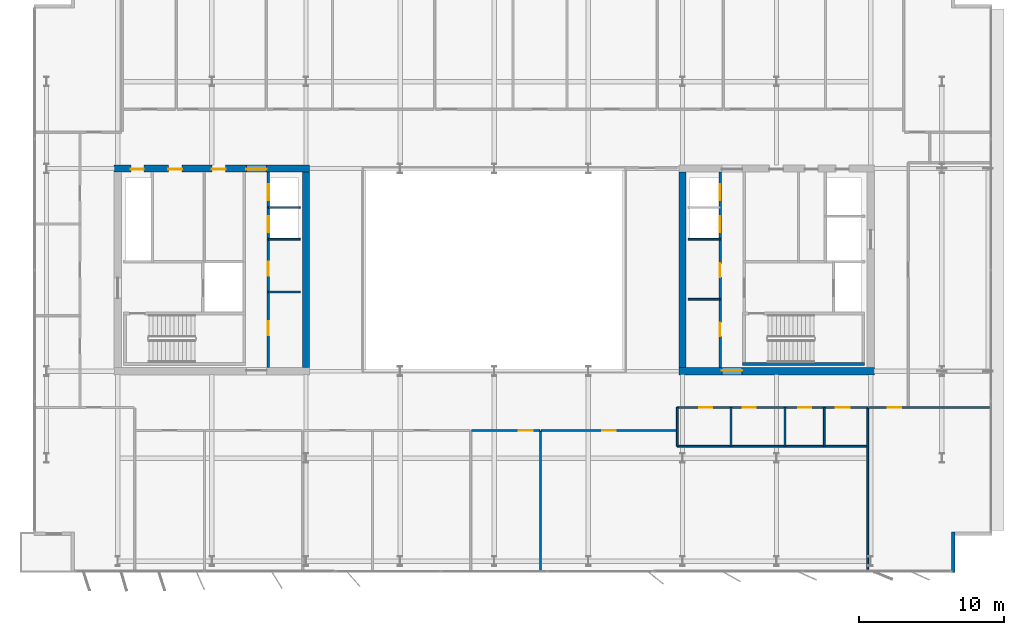
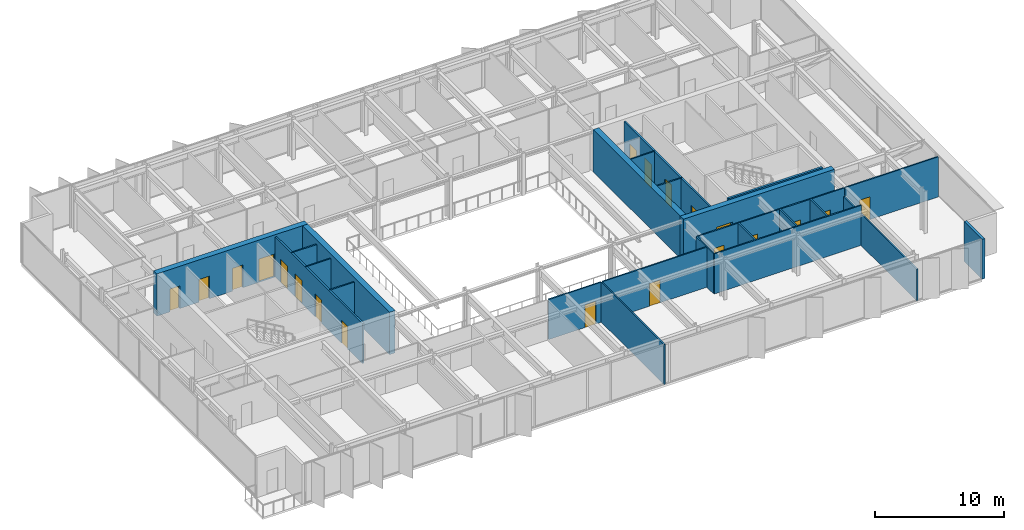
# One storey, part 14 of 20: 24 walls, 20 doors, 20 openings.
"""IFC4 building model written with IfcOpenShell, lengths in metres."""

from ifc_helpers import new_model, si_unit, direction, frame, frame_2d, origin, place, context, subcontext, project, spatial, rectangle, extrude, material, layer, layer_set, type_object, element, fill, save


model = new_model("IFC4")

# Units and contexts
model_context = context("Model", 3, precision=1e-05, world=origin(), true_north=direction((0.0, 1.0)))
body_context = subcontext(model_context, "Body", "Model", "MODEL_VIEW")
ifc_project = project(units=[si_unit("LENGTHUNIT", "METRE"), si_unit("AREAUNIT", "SQUARE_METRE"), si_unit("VOLUMEUNIT", "CUBIC_METRE"), si_unit("PLANEANGLEUNIT", "RADIAN"), si_unit("MASSUNIT", "GRAM", prefix="KILO")], contexts=[model_context])

# Site, building, storey
site_placement = place(None, origin())
site = spatial("IfcSite", under=ifc_project, at=site_placement, CompositionType="ELEMENT")
building_placement = place(site_placement, origin())
building = spatial("IfcBuilding", under=site, at=building_placement, Name="Putna Gate Headquarters", CompositionType="ELEMENT")
storey_placement = place(building_placement, frame((0.0, 0.0, 290.39990234375)))
storey = spatial("IfcBuildingStorey", under=building, at=storey_placement, Name="L73", CompositionType="ELEMENT", Elevation=290.39990234375)

# Wall, openings, doors
ifc_material_1 = material(Name="Concrete C50/60", Category="concrete")
ifc_layer_1 = layer(ifc_material_1, 0.5)
ifc_layer_set_1 = layer_set([ifc_layer_1], Name="Concrete C50/60")
wall_type_1 = type_object("IfcWallType", Name="WALL-CORE-500", PredefinedType="SHEAR", material=ifc_layer_set_1)
wall_1_placement = place(storey_placement, frame((12.75, 33.0, 0.0), z_axis=(0.0, 0.0, 1.0), x_axis=(1.0, 0.0, 0.0)))
wall_1 = element("IfcWall", 1, at=wall_1_placement, inside=storey, type_object=wall_type_1, Name="L73 WC Split Core Shear Wall N", PredefinedType="SHEAR", context=body_context, shape_type="SweptSolid", body=[
    extrude(rectangle(XDim=13.5, YDim=0.5, at=frame_2d((6.75, 0.0))), origin(), (0.0, 0.0, 1.0), 4.0),
])
opening_1_placement = place(wall_1_placement, frame((1.14990234375, 0.0, 0.0)))
opening_1 = element("IfcOpeningElement", 2, at=opening_1_placement, cuts=wall_1, Name="Opening RD-90", PredefinedType="OPENING", context=body_context, shape_type="SweptSolid", body=[
    extrude(rectangle(XDim=0.89990234375, YDim=2.14990234375, at=frame_2d((0.449951171875, 1.074951171875))), frame((0.0, 0.260009765625, 0.0), z_axis=(0.0, -1.0, 0.0), x_axis=(1.0, 0.0, 0.0)), (0.0, 0.0, 1.0), 0.52001953125),
])
opening_2_placement = place(wall_1_placement, frame((3.75, 0.0, 0.0)))
opening_2 = element("IfcOpeningElement", 3, at=opening_2_placement, cuts=wall_1, Name="Opening IDS-95", PredefinedType="OPENING", context=body_context, shape_type="SweptSolid", body=[
    extrude(rectangle(XDim=0.949951171875, YDim=2.14990234375, at=frame_2d((0.47509765625, 1.074951171875))), frame((0.0, 0.260009765625, 0.0), z_axis=(0.0, -1.0, 0.0), x_axis=(1.0, 0.0, 0.0)), (0.0, 0.0, 1.0), 0.52001953125),
])
opening_3_placement = place(wall_1_placement, frame((6.75, 0.0, 0.0)))
opening_3 = element("IfcOpeningElement", 4, at=opening_3_placement, cuts=wall_1, Name="Opening IDS-95", PredefinedType="OPENING", context=body_context, shape_type="SweptSolid", body=[
    extrude(rectangle(XDim=0.949951171875, YDim=2.14990234375, at=frame_2d((0.47509765625, 1.074951171875))), frame((0.0, 0.260009765625, 0.0), z_axis=(0.0, -1.0, 0.0), x_axis=(1.0, 0.0, 0.0)), (0.0, 0.0, 1.0), 0.52001953125),
])
opening_4_placement = place(wall_1_placement, frame((9.1298828125, 0.0, 0.0)))
opening_4 = element("IfcOpeningElement", 5, at=opening_4_placement, cuts=wall_1, Name="Opening FDD-140", PredefinedType="OPENING", context=body_context, shape_type="SweptSolid", body=[
    extrude(rectangle(XDim=1.39990234375, YDim=2.199951171875, at=frame_2d((0.699951171875, 1.10009765625))), frame((0.0, 0.260009765625, 0.0), z_axis=(0.0, -1.0, 0.0), x_axis=(1.0, 0.0, 0.0)), (0.0, 0.0, 1.0), 0.52001953125),
])
ifc_material_2 = material(Name="Double steel fire door", Category="steel")
door_type_1 = type_object("IfcDoorType", Name="DOOR-FIRE-DBL-1400", OperationType="DOUBLE_DOOR_SINGLE_SWING", PredefinedType="DOOR", material=ifc_material_2)
door_1_placement = place(opening_4_placement, origin())
door_1 = element("IfcDoor", 6, at=door_1_placement, inside=storey, type_object=door_type_1, Name="L73 West Lift Lobby North Door", OperationType="DOUBLE_DOOR_SINGLE_SWING", OverallHeight=2.199951171875, OverallWidth=1.39990234375, PredefinedType="DOOR", context=body_context, shape_type="SweptSolid", body=[
    extrude(rectangle(XDim=1.39990234375, YDim=2.199951171875, at=frame_2d((0.699951171875, 1.10009765625))), frame((0.0, -0.02490234375, 0.0), z_axis=(0.0, -1.0, 0.0), x_axis=(1.0, 0.0, 0.0)), (0.0, 0.0, 1.0), 0.050048828125),
])
fill(opening_4, door_1)
ifc_material_3 = material(Name="Fire-rated service timber door", Category="wood")
door_type_2 = type_object("IfcDoorType", Name="DOOR-INT-950", OperationType="NOTDEFINED", PredefinedType="DOOR", material=ifc_material_3)
door_2_placement = place(opening_2_placement, origin())
door_2 = element("IfcDoor", 7, at=door_2_placement, inside=storey, type_object=door_type_2, Name="L73 Cleaner Store Door", OperationType="SINGLE_SWING_LEFT", OverallHeight=2.14990234375, OverallWidth=0.949951171875, PredefinedType="DOOR", context=body_context, shape_type="SweptSolid", body=[
    extrude(rectangle(XDim=0.949951171875, YDim=2.14990234375, at=frame_2d((0.47509765625, 1.074951171875))), frame((0.0, -0.02490234375, 0.0), z_axis=(0.0, -1.0, 0.0), x_axis=(1.0, 0.0, 0.0)), (0.0, 0.0, 1.0), 0.050048828125),
])
fill(opening_2, door_2)
door_3_placement = place(opening_3_placement, origin())
door_3 = element("IfcDoor", 8, at=door_3_placement, inside=storey, type_object=door_type_2, Name="L73 Comms Plant Door", OperationType="SINGLE_SWING_RIGHT", OverallHeight=2.14990234375, OverallWidth=0.949951171875, PredefinedType="DOOR", context=body_context, shape_type="SweptSolid", body=[
    extrude(rectangle(XDim=0.949951171875, YDim=2.14990234375, at=frame_2d((0.47509765625, 1.074951171875))), frame((0.0, -0.02490234375, 0.0), z_axis=(0.0, -1.0, 0.0), x_axis=(1.0, 0.0, 0.0)), (0.0, 0.0, 1.0), 0.050048828125),
])
fill(opening_3, door_3)
ifc_material_4 = material(Name="Steel riser access fire door", Category="steel")
door_type_3 = type_object("IfcDoorType", Name="DOOR-RISER-900", OperationType="NOTDEFINED", PredefinedType="DOOR", material=ifc_material_4)
door_4_placement = place(opening_1_placement, origin())
door_4 = element("IfcDoor", 9, at=door_4_placement, inside=storey, type_object=door_type_3, Name="L73 West Riser Access Door", OperationType="SINGLE_SWING_RIGHT", OverallHeight=2.14990234375, OverallWidth=0.89990234375, PredefinedType="DOOR", context=body_context, shape_type="SweptSolid", body=[
    extrude(rectangle(XDim=0.89990234375, YDim=2.14990234375, at=frame_2d((0.449951171875, 1.074951171875))), frame((0.0, -0.02490234375, 0.0), z_axis=(0.0, -1.0, 0.0), x_axis=(1.0, 0.0, 0.0)), (0.0, 0.0, 1.0), 0.050048828125),
])
fill(opening_1, door_4)

# Wall
wall_2_placement = place(storey_placement, frame((26.0, 19.25, 0.0), z_axis=(0.0, 0.0, 1.0), x_axis=(0.0, 1.0, 0.0)))
element("IfcWall", 10, at=wall_2_placement, inside=storey, type_object=wall_type_1, Name="L73 WC Split Core Shear Wall E", PredefinedType="SHEAR", context=body_context, shape_type="SweptSolid", body=[
    extrude(rectangle(XDim=13.5, YDim=0.5, at=frame_2d((6.75, 0.0))), origin(), (0.0, 0.0, 1.0), 4.0),
])

# Wall, opening, door
wall_3_placement = place(storey_placement, frame((51.75, 19.0, 0.0), z_axis=(0.0, 0.0, 1.0), x_axis=(1.0, 0.0, 0.0)))
wall_3 = element("IfcWall", 11, at=wall_3_placement, inside=storey, type_object=wall_type_1, Name="L73 EC Split Core Shear Wall S", PredefinedType="SHEAR", context=body_context, shape_type="SweptSolid", body=[
    extrude(rectangle(XDim=13.5, YDim=0.5, at=frame_2d((6.75, 0.0))), origin(), (0.0, 0.0, 1.0), 4.0),
])
opening_5_placement = place(wall_3_placement, frame((2.969970703125, 0.0, 0.0)))
opening_5 = element("IfcOpeningElement", 12, at=opening_5_placement, cuts=wall_3, Name="Opening FDD-140", PredefinedType="OPENING", context=body_context, shape_type="SweptSolid", body=[
    extrude(rectangle(XDim=1.39990234375, YDim=2.199951171875, at=frame_2d((0.699951171875, 1.10009765625))), frame((0.0, 0.260009765625, 0.0), z_axis=(0.0, -1.0, 0.0), x_axis=(1.0, 0.0, 0.0)), (0.0, 0.0, 1.0), 0.52001953125),
])
door_5_placement = place(opening_5_placement, origin())
door_5 = element("IfcDoor", 13, at=door_5_placement, inside=storey, type_object=door_type_1, Name="L73 East Lift Lobby South Door", OperationType="DOUBLE_DOOR_SINGLE_SWING", OverallHeight=2.199951171875, OverallWidth=1.39990234375, PredefinedType="DOOR", context=body_context, shape_type="SweptSolid", body=[
    extrude(rectangle(XDim=1.39990234375, YDim=2.199951171875, at=frame_2d((0.699951171875, 1.10009765625))), frame((0.0, 0.0751953125, 0.0), z_axis=(0.0, -1.0, 0.0), x_axis=(1.0, 0.0, 0.0)), (0.0, 0.0, 1.0), 0.050048828125),
])
fill(opening_5, door_5)

# Walls
wall_4_placement = place(storey_placement, frame((52.0, 19.25, 0.0), z_axis=(0.0, 0.0, 1.0), x_axis=(0.0, 1.0, 0.0)))
element("IfcWall", 14, at=wall_4_placement, inside=storey, type_object=wall_type_1, Name="L73 EC Split Core Shear Wall W", PredefinedType="SHEAR", context=body_context, shape_type="SweptSolid", body=[
    extrude(rectangle(XDim=13.5, YDim=0.5, at=frame_2d((6.75, 0.0))), origin(), (0.0, 0.0, 1.0), 4.0),
])
ifc_material_5 = material(Name="Precast concrete C40/50", Category="concrete")
ifc_layer_2 = layer(ifc_material_5, 0.239990234375)
ifc_layer_set_2 = layer_set([ifc_layer_2], Name="Precast concrete C40/50")
wall_type_2 = type_object("IfcWallType", Name="WALL-EXT-TERR-240", PredefinedType="STANDARD", material=ifc_layer_set_2)
wall_5_placement = place(storey_placement, frame((70.707275390625, 7.89990234375, 0.0), z_axis=(0.0, 0.0, 1.0), x_axis=(0.0, -1.0, 0.0)))
element("IfcWall", 15, at=wall_5_placement, inside=storey, type_object=wall_type_2, Name="L73 Corner Notch Return Wall SE-V", PredefinedType="STANDARD", context=body_context, shape_type="SweptSolid", body=[
    extrude(rectangle(XDim=2.7998046875, YDim=0.239990234375, at=frame_2d((1.39990234375, 0.0))), origin(), (0.0, 0.0, 1.0), 3.7880859375),
])
ifc_material_6 = material(Name="Acoustic gypsum board on metal stud")
ifc_layer_3 = layer(ifc_material_6, 0.1201171875)
ifc_layer_set_3 = layer_set([ifc_layer_3], Name="Acoustic gypsum board on metal stud")
wall_type_3 = type_object("IfcWallType", Name="WALL-PART-120", PredefinedType="PARTITIONING", material=ifc_layer_set_3)
wall_6_placement = place(storey_placement, frame((42.199951171875, 5.1201171875, 0.0), z_axis=(0.0, 0.0, 1.0), x_axis=(0.0, 1.0, 0.0)))
element("IfcWall", 16, at=wall_6_placement, inside=storey, type_object=wall_type_3, Name="L73 Interior Wall PART-L73-SB-DIV-06", PredefinedType="PARTITIONING", context=body_context, shape_type="SweptSolid", body=[
    extrude(rectangle(XDim=9.719970703125, YDim=0.1201171875, at=frame_2d((4.85986328125, 0.0))), origin(), (0.0, 0.0, 1.0), 3.7880859375),
])
wall_7_placement = place(storey_placement, frame((64.800048828125, 5.1201171875, 0.0), z_axis=(0.0, 0.0, 1.0), x_axis=(0.0, 1.0, 0.0)))
element("IfcWall", 17, at=wall_7_placement, inside=storey, type_object=wall_type_3, Name="L73 Interior Wall PART-L73-SB-DIV-07", PredefinedType="PARTITIONING", context=body_context, shape_type="SweptSolid", body=[
    extrude(rectangle(XDim=11.31982421875, YDim=0.1201171875, at=frame_2d((5.659912109375, 0.0))), origin(), (0.0, 0.0, 1.0), 2.988037109375),
])
ifc_material_7 = material(Name="Fire-rated shaftwall gypsum board on metal stud")
ifc_layer_4 = layer(ifc_material_7, 0.1201171875)
ifc_layer_set_4 = layer_set([ifc_layer_4], Name="Fire-rated shaftwall gypsum board on metal stud")
wall_type_4 = type_object("IfcWallType", Name="WALL-PART-120-EI120", PredefinedType="PARTITIONING", material=ifc_layer_set_4)
wall_8_placement = place(storey_placement, frame((23.39990234375, 30.31005859375, 0.0), z_axis=(0.0, 0.0, 1.0), x_axis=(1.0, 0.0, 0.0)))
element("IfcWall", 18, at=wall_8_placement, inside=storey, type_object=wall_type_4, Name="L73 Interior Wall CWINT-L73-WC-LF09-DIV", PredefinedType="PARTITIONING", context=body_context, shape_type="SweptSolid", body=[
    extrude(rectangle(XDim=2.2001953125, YDim=0.1201171875, at=frame_2d((1.10009765625, 0.0))), origin(), (0.0, 0.0, 1.0), 3.7880859375),
])
ifc_material_8 = material(Name="Fire-rated gypsum board on metal stud")
ifc_layer_5 = layer(ifc_material_8, 0.1201171875)
ifc_layer_set_5 = layer_set([ifc_layer_5], Name="Fire-rated gypsum board on metal stud")
wall_type_5 = type_object("IfcWallType", Name="WALL-PART-120-RATED", PredefinedType="PARTITIONING", material=ifc_layer_set_5)
for number, where, z_axis, x_axis, name in (
    (19, (23.39990234375, 24.469970703125, 0.0), (0.0, 0.0, 1.0), (1.0, 0.0, 0.0), "L73 Interior Wall CWINT-L73-WC-REUSE-DIV"),
    (20, (23.39990234375, 28.1201171875, 0.0), (0.0, 0.0, 1.0), (1.0, 0.0, 0.0), "L73 Interior Wall CWINT-L73-WC-LF06-DIV"),
    (21, (52.39990234375, 23.969970703125, 0.0), (0.0, 0.0, 1.0), (1.0, 0.0, 0.0), "L73 Interior Wall CWINT-L73-EC-REUSE-DIV"),
    (22, (52.39990234375, 28.1201171875, 0.0), (0.0, 0.0, 1.0), (1.0, 0.0, 0.0), "L73 Interior Wall CWINT-L73-EC-LF08-DIV"),
):
    element("IfcWall", number, at=place(storey_placement, frame(where, z_axis=z_axis, x_axis=x_axis)), inside=storey, type_object=wall_type_5, Name=name, PredefinedType="PARTITIONING", context=body_context, shape_type="SweptSolid", body=[
        extrude(rectangle(XDim=2.2001953125, YDim=0.1201171875, at=frame_2d((1.10009765625, 0.0))), origin(), (0.0, 0.0, 1.0), 3.7880859375),
    ])

# Wall, openings, doors
wall_9_placement = place(storey_placement, frame((51.639892578125, 16.5, 0.0), z_axis=(0.0, 0.0, 1.0), x_axis=(1.0, 0.0, 0.0)))
wall_9 = element("IfcWall", 23, at=wall_9_placement, inside=storey, type_object=wall_type_5, Name="L73 Interior Wall PART-L73-SAN-CW", PredefinedType="PARTITIONING", context=body_context, shape_type="SweptSolid", body=[
    extrude(rectangle(XDim=13.16015625, YDim=0.1201171875, at=frame_2d((6.580078125, 0.0))), origin(), (0.0, 0.0, 1.0), 3.7880859375),
])
opening_6_placement = place(wall_9_placement, frame((1.510009765625, 0.0, 0.0)))
opening_6 = element("IfcOpeningElement", 24, at=opening_6_placement, cuts=wall_9, Name="Opening FD-90", PredefinedType="OPENING", context=body_context, shape_type="SweptSolid", body=[
    extrude(rectangle(XDim=0.89990234375, YDim=2.14990234375, at=frame_2d((0.449951171875, 1.074951171875))), frame((0.0, 0.070068359375, 0.0), z_axis=(0.0, -1.0, 0.0), x_axis=(1.0, 0.0, 0.0)), (0.0, 0.0, 1.0), 0.14013671875),
])
opening_7_placement = place(wall_9_placement, frame((4.510009765625, 0.0, 0.0)))
opening_7 = element("IfcOpeningElement", 25, at=opening_7_placement, cuts=wall_9, Name="Opening FD-90", PredefinedType="OPENING", context=body_context, shape_type="SweptSolid", body=[
    extrude(rectangle(XDim=0.89990234375, YDim=2.14990234375, at=frame_2d((0.449951171875, 1.074951171875))), frame((0.0, 0.070068359375, 0.0), z_axis=(0.0, -1.0, 0.0), x_axis=(1.0, 0.0, 0.0)), (0.0, 0.0, 1.0), 0.14013671875),
])
opening_8_placement = place(wall_9_placement, frame((8.360107421875, 0.0, 0.0)))
opening_8 = element("IfcOpeningElement", 26, at=opening_8_placement, cuts=wall_9, Name="Opening FD-90", PredefinedType="OPENING", context=body_context, shape_type="SweptSolid", body=[
    extrude(rectangle(XDim=0.89990234375, YDim=2.14990234375, at=frame_2d((0.449951171875, 1.074951171875))), frame((0.0, 0.070068359375, 0.0), z_axis=(0.0, -1.0, 0.0), x_axis=(1.0, 0.0, 0.0)), (0.0, 0.0, 1.0), 0.14013671875),
])
opening_9_placement = place(wall_9_placement, frame((10.9599609375, 0.0, 0.0)))
opening_9 = element("IfcOpeningElement", 27, at=opening_9_placement, cuts=wall_9, Name="Opening FD-95", PredefinedType="OPENING", context=body_context, shape_type="SweptSolid", body=[
    extrude(rectangle(XDim=0.949951171875, YDim=2.14990234375, at=frame_2d((0.47509765625, 1.074951171875))), frame((0.0, 0.070068359375, 0.0), z_axis=(0.0, -1.0, 0.0), x_axis=(1.0, 0.0, 0.0)), (0.0, 0.0, 1.0), 0.14013671875),
])
ifc_material_9 = material(Name="Acoustic washroom fire door")
door_type_4 = type_object("IfcDoorType", Name="DOOR-FIRE-900", OperationType="NOTDEFINED", PredefinedType="DOOR", material=ifc_material_9)
door_6_placement = place(opening_6_placement, origin())
door_6 = element("IfcDoor", 28, at=door_6_placement, inside=storey, type_object=door_type_4, Name="L73 Washroom Male Door", OperationType="SINGLE_SWING_RIGHT", OverallHeight=2.14990234375, OverallWidth=0.89990234375, PredefinedType="DOOR", context=body_context, shape_type="SweptSolid", body=[
    extrude(rectangle(XDim=0.89990234375, YDim=2.14990234375, at=frame_2d((0.449951171875, 1.074951171875))), frame((0.0, 0.02490234375, 0.0), z_axis=(0.0, -1.0, 0.0), x_axis=(1.0, 0.0, 0.0)), (0.0, 0.0, 1.0), 0.050048828125),
])
fill(opening_6, door_6)
door_7_placement = place(opening_7_placement, origin())
door_7 = element("IfcDoor", 29, at=door_7_placement, inside=storey, type_object=door_type_4, Name="L73 Washroom Female Door", OperationType="SINGLE_SWING_LEFT", OverallHeight=2.14990234375, OverallWidth=0.89990234375, PredefinedType="DOOR", context=body_context, shape_type="SweptSolid", body=[
    extrude(rectangle(XDim=0.89990234375, YDim=2.14990234375, at=frame_2d((0.449951171875, 1.074951171875))), frame((0.0, 0.02490234375, 0.0), z_axis=(0.0, -1.0, 0.0), x_axis=(1.0, 0.0, 0.0)), (0.0, 0.0, 1.0), 0.050048828125),
])
fill(opening_7, door_7)
door_8_placement = place(opening_8_placement, origin())
door_8 = element("IfcDoor", 30, at=door_8_placement, inside=storey, type_object=door_type_4, Name="L73 Accessible WC Door", OperationType="SINGLE_SWING_RIGHT", OverallHeight=2.14990234375, OverallWidth=0.89990234375, PredefinedType="DOOR", context=body_context, shape_type="SweptSolid", body=[
    extrude(rectangle(XDim=0.89990234375, YDim=2.14990234375, at=frame_2d((0.449951171875, 1.074951171875))), frame((0.0, 0.02490234375, 0.0), z_axis=(0.0, -1.0, 0.0), x_axis=(1.0, 0.0, 0.0)), (0.0, 0.0, 1.0), 0.050048828125),
])
fill(opening_8, door_8)
ifc_material_10 = material(Name="Acoustic timber fire door", Category="wood")
door_type_5 = type_object("IfcDoorType", Name="DOOR-FIRE-950", OperationType="NOTDEFINED", PredefinedType="DOOR", material=ifc_material_10)
door_9_placement = place(opening_9_placement, origin())
door_9 = element("IfcDoor", 31, at=door_9_placement, inside=storey, type_object=door_type_5, Name="L73 Staff Pantry and Tea Point Door", OperationType="SINGLE_SWING_LEFT", OverallHeight=2.14990234375, OverallWidth=0.949951171875, PredefinedType="DOOR", context=body_context, shape_type="SweptSolid", body=[
    extrude(rectangle(XDim=0.949951171875, YDim=2.14990234375, at=frame_2d((0.47509765625, 1.074951171875))), frame((0.0, 0.02490234375, 0.0), z_axis=(0.0, -1.0, 0.0), x_axis=(1.0, 0.0, 0.0)), (0.0, 0.0, 1.0), 0.050048828125),
])
fill(opening_9, door_9)

# Walls
wall_10_placement = place(storey_placement, frame((51.639892578125, 13.820068359375, 0.0), z_axis=(0.0, 0.0, 1.0), x_axis=(1.0, 0.0, 0.0)))
element("IfcWall", 32, at=wall_10_placement, inside=storey, type_object=wall_type_5, Name="L73 Interior Wall PART-L73-SAN-BACK", PredefinedType="PARTITIONING", context=body_context, shape_type="SweptSolid", body=[
    extrude(rectangle(XDim=13.16015625, YDim=0.1201171875, at=frame_2d((6.580078125, 0.0))), origin(), (0.0, 0.0, 1.0), 3.7880859375),
])
for number, where, z_axis, x_axis, name in (
    (33, (51.639892578125, 13.820068359375, 0.0), (0.0, 0.0, 1.0), (0.0, 1.0, 0.0), "L73 Interior Wall PART-L73-SAN-DIV-1"),
    (34, (55.360107421875, 13.820068359375, 0.0), (0.0, 0.0, 1.0), (0.0, 1.0, 0.0), "L73 Interior Wall PART-L73-SAN-DIV-2"),
    (35, (59.080078125, 13.820068359375, 0.0), (0.0, 0.0, 1.0), (0.0, 1.0, 0.0), "L73 Interior Wall PART-L73-SAN-DIV-3"),
    (36, (61.800048828125, 13.820068359375, 0.0), (0.0, 0.0, 1.0), (0.0, 1.0, 0.0), "L73 Interior Wall PART-L73-SAN-DIV-4"),
):
    element("IfcWall", number, at=place(storey_placement, frame(where, z_axis=z_axis, x_axis=x_axis)), inside=storey, type_object=wall_type_5, Name=name, PredefinedType="PARTITIONING", context=body_context, shape_type="SweptSolid", body=[
        extrude(rectangle(XDim=2.679931640625, YDim=0.1201171875, at=frame_2d((1.33984375, 0.0))), origin(), (0.0, 0.0, 1.0), 3.7880859375),
    ])

# Wall, opening, door
wall_11_placement = place(storey_placement, frame((37.447509765625, 14.89990234375, 0.0), z_axis=(0.0, 0.0, 1.0), x_axis=(1.0, 0.0, 0.0)))
wall_11 = element("IfcWall", 37, at=wall_11_placement, inside=storey, type_object=wall_type_5, Name="L73 Interior Wall PART-L73-SB-CW-06", PredefinedType="PARTITIONING", context=body_context, shape_type="SweptSolid", body=[
    extrude(rectangle(XDim=4.6923828125, YDim=0.1201171875, at=frame_2d((2.34619140625, 0.0))), origin(), (0.0, 0.0, 1.0), 3.7880859375),
])
opening_10_placement = place(wall_11_placement, frame((3.262451171875, 0.0, 0.0)))
opening_10 = element("IfcOpeningElement", 38, at=opening_10_placement, cuts=wall_11, Name="Opening FD-95", PredefinedType="OPENING", context=body_context, shape_type="SweptSolid", body=[
    extrude(rectangle(XDim=0.949951171875, YDim=2.14990234375, at=frame_2d((0.47509765625, 1.074951171875))), frame((0.0, 0.070068359375, 0.0), z_axis=(0.0, -1.0, 0.0), x_axis=(1.0, 0.0, 0.0)), (0.0, 0.0, 1.0), 0.14013671875),
])
door_10_placement = place(opening_10_placement, origin())
door_10 = element("IfcDoor", 39, at=door_10_placement, inside=storey, type_object=door_type_5, Name="L73 Conference Meeting Room 5 Door", OperationType="SINGLE_SWING_LEFT", OverallHeight=2.14990234375, OverallWidth=0.949951171875, PredefinedType="DOOR", context=body_context, shape_type="SweptSolid", body=[
    extrude(rectangle(XDim=0.949951171875, YDim=2.14990234375, at=frame_2d((0.47509765625, 1.074951171875))), frame((0.0, 0.02490234375, 0.0), z_axis=(0.0, -1.0, 0.0), x_axis=(1.0, 0.0, 0.0)), (0.0, 0.0, 1.0), 0.050048828125),
])
fill(opening_10, door_10)

wall_12_placement = place(storey_placement, frame((42.260009765625, 14.89990234375, 0.0), z_axis=(0.0, 0.0, 1.0), x_axis=(1.0, 0.0, 0.0)))
wall_12 = element("IfcWall", 40, at=wall_12_placement, inside=storey, type_object=wall_type_5, Name="L73 Interior Wall PART-L73-SB-CW-07", PredefinedType="PARTITIONING", context=body_context, shape_type="SweptSolid", body=[
    extrude(rectangle(XDim=9.320068359375, YDim=0.1201171875, at=frame_2d((4.66015625, 0.0))), origin(), (0.0, 0.0, 1.0), 3.7880859375),
])
opening_11_placement = place(wall_12_placement, frame((4.18505859375, 0.0, 0.0)))
opening_11 = element("IfcOpeningElement", 41, at=opening_11_placement, cuts=wall_12, Name="Opening FD-95", PredefinedType="OPENING", context=body_context, shape_type="SweptSolid", body=[
    extrude(rectangle(XDim=0.949951171875, YDim=2.14990234375, at=frame_2d((0.47509765625, 1.074951171875))), frame((0.0, 0.070068359375, 0.0), z_axis=(0.0, -1.0, 0.0), x_axis=(1.0, 0.0, 0.0)), (0.0, 0.0, 1.0), 0.14013671875),
])
door_11_placement = place(opening_11_placement, origin())
door_11 = element("IfcDoor", 42, at=door_11_placement, inside=storey, type_object=door_type_5, Name="L73 Primary Open Office Workplace Door", OperationType="SINGLE_SWING_RIGHT", OverallHeight=2.14990234375, OverallWidth=0.949951171875, PredefinedType="DOOR", context=body_context, shape_type="SweptSolid", body=[
    extrude(rectangle(XDim=0.949951171875, YDim=2.14990234375, at=frame_2d((0.47509765625, 1.074951171875))), frame((0.0, 0.02490234375, 0.0), z_axis=(0.0, -1.0, 0.0), x_axis=(1.0, 0.0, 0.0)), (0.0, 0.0, 1.0), 0.050048828125),
])
fill(opening_11, door_11)

wall_13_placement = place(storey_placement, frame((64.860107421875, 16.5, 0.0), z_axis=(0.0, 0.0, 1.0), x_axis=(1.0, 0.0, 0.0)))
wall_13 = element("IfcWall", 43, at=wall_13_placement, inside=storey, type_object=wall_type_5, Name="L73 Interior Wall PART-L73-SB-CW-08", PredefinedType="PARTITIONING", context=body_context, shape_type="SweptSolid", body=[
    extrude(rectangle(XDim=8.34716796875, YDim=0.1201171875, at=frame_2d((4.173583984375, 0.0))), origin(), (0.0, 0.0, 1.0), 3.7880859375),
])
opening_12_placement = place(wall_13_placement, frame((1.31005859375, 0.0, 0.0)))
opening_12 = element("IfcOpeningElement", 44, at=opening_12_placement, cuts=wall_13, Name="Opening FD-95", PredefinedType="OPENING", context=body_context, shape_type="SweptSolid", body=[
    extrude(rectangle(XDim=0.949951171875, YDim=2.14990234375, at=frame_2d((0.47509765625, 1.074951171875))), frame((0.0, 0.070068359375, 0.0), z_axis=(0.0, -1.0, 0.0), x_axis=(1.0, 0.0, 0.0)), (0.0, 0.0, 1.0), 0.14013671875),
])
door_12_placement = place(opening_12_placement, origin())
door_12 = element("IfcDoor", 45, at=door_12_placement, inside=storey, type_object=door_type_5, Name="L73 Collaborative Breakout Lounge 2 Door", OperationType="SINGLE_SWING_LEFT", OverallHeight=2.14990234375, OverallWidth=0.949951171875, PredefinedType="DOOR", context=body_context, shape_type="SweptSolid", body=[
    extrude(rectangle(XDim=0.949951171875, YDim=2.14990234375, at=frame_2d((0.47509765625, 1.074951171875))), frame((0.0, 0.02490234375, 0.0), z_axis=(0.0, -1.0, 0.0), x_axis=(1.0, 0.0, 0.0)), (0.0, 0.0, 1.0), 0.050048828125),
])
fill(opening_12, door_12)

# Wall, openings, doors
ifc_material_11 = material(Name="Concrete C40/50", Category="concrete")
ifc_layer_6 = layer(ifc_material_11, 0.159912109375)
ifc_layer_set_6 = layer_set([ifc_layer_6], Name="Concrete C40/50")
wall_type_6 = type_object("IfcWallType", Name="WALL-SHAFT-160", PredefinedType="STANDARD", material=ifc_layer_set_6)
wall_14_placement = place(storey_placement, frame((23.39990234375, 19.25, 0.0), z_axis=(0.0, 0.0, 1.0), x_axis=(0.0, 1.0, 0.0)))
wall_14 = element("IfcWall", 46, at=wall_14_placement, inside=storey, type_object=wall_type_6, Name="L73 Interior Wall CWINT-L73-WC-PL-WALL", PredefinedType="STANDARD", context=body_context, shape_type="SweptSolid", body=[
    extrude(rectangle(XDim=13.5, YDim=0.159912109375, at=frame_2d((6.75, 0.0))), origin(), (0.0, 0.0, 1.0), 3.7880859375),
])
opening_13_placement = place(wall_14_placement, frame((2.25, 0.0, 0.0)))
opening_13 = element("IfcOpeningElement", 47, at=opening_13_placement, cuts=wall_14, Name="Opening IDS-95", PredefinedType="OPENING", context=body_context, shape_type="SweptSolid", body=[
    extrude(rectangle(XDim=0.949951171875, YDim=2.14990234375, at=frame_2d((0.47509765625, 1.074951171875))), frame((0.0, 0.08984375, 0.0), z_axis=(0.0, -1.0, 0.0), x_axis=(1.0, 0.0, 0.0)), (0.0, 0.0, 1.0), 0.179931640625),
])
opening_14_placement = place(wall_14_placement, frame((6.35009765625, 0.0, 0.0)))
opening_14 = element("IfcOpeningElement", 48, at=opening_14_placement, cuts=wall_14, Name="Opening IDS-95", PredefinedType="OPENING", context=body_context, shape_type="SweptSolid", body=[
    extrude(rectangle(XDim=0.949951171875, YDim=2.14990234375, at=frame_2d((0.47509765625, 1.074951171875))), frame((0.0, 0.08984375, 0.0), z_axis=(0.0, -1.0, 0.0), x_axis=(1.0, 0.0, 0.0)), (0.0, 0.0, 1.0), 0.179931640625),
])
opening_15_placement = place(wall_14_placement, frame((9.35009765625, 0.0, 0.0)))
opening_15 = element("IfcOpeningElement", 49, at=opening_15_placement, cuts=wall_14, Name="Opening LD-1", PredefinedType="OPENING", context=body_context, shape_type="SweptSolid", body=[
    extrude(rectangle(XDim=1.10009765625, YDim=2.199951171875, at=frame_2d((0.550048828125, 1.10009765625))), frame((0.0, 0.08984375, 0.0), z_axis=(0.0, -1.0, 0.0), x_axis=(1.0, 0.0, 0.0)), (0.0, 0.0, 1.0), 0.179931640625),
])
opening_16_placement = place(wall_14_placement, frame((11.550048828125, 0.0, 0.0)))
opening_16 = element("IfcOpeningElement", 50, at=opening_16_placement, cuts=wall_14, Name="Opening LD-1", PredefinedType="OPENING", context=body_context, shape_type="SweptSolid", body=[
    extrude(rectangle(XDim=1.10009765625, YDim=2.199951171875, at=frame_2d((0.550048828125, 1.10009765625))), frame((0.0, 0.08984375, 0.0), z_axis=(0.0, -1.0, 0.0), x_axis=(1.0, 0.0, 0.0)), (0.0, 0.0, 1.0), 0.179931640625),
])
door_13_placement = place(opening_13_placement, origin())
door_13 = element("IfcDoor", 51, at=door_13_placement, inside=storey, type_object=door_type_2, Name="L73 Tenant IT Hub Door", OperationType="SINGLE_SWING_LEFT", OverallHeight=2.14990234375, OverallWidth=0.949951171875, PredefinedType="DOOR", context=body_context, shape_type="SweptSolid", body=[
    extrude(rectangle(XDim=0.949951171875, YDim=2.14990234375, at=frame_2d((0.47509765625, 1.074951171875))), frame((0.0, 0.02490234375, 0.0), z_axis=(0.0, -1.0, 0.0), x_axis=(1.0, 0.0, 0.0)), (0.0, 0.0, 1.0), 0.050048828125),
])
fill(opening_13, door_13)
door_14_placement = place(opening_14_placement, origin())
door_14 = element("IfcDoor", 52, at=door_14_placement, inside=storey, type_object=door_type_2, Name="L73 Records Vault Door", OperationType="SINGLE_SWING_RIGHT", OverallHeight=2.14990234375, OverallWidth=0.949951171875, PredefinedType="DOOR", context=body_context, shape_type="SweptSolid", body=[
    extrude(rectangle(XDim=0.949951171875, YDim=2.14990234375, at=frame_2d((0.47509765625, 1.074951171875))), frame((0.0, 0.02490234375, 0.0), z_axis=(0.0, -1.0, 0.0), x_axis=(1.0, 0.0, 0.0)), (0.0, 0.0, 1.0), 0.050048828125),
])
fill(opening_14, door_14)
ifc_material_12 = material(Name="Brushed bronze stainless lift landing door")
door_type_6 = type_object("IfcDoorType", Name="DOOR-LIFT-1100", OperationType="DOUBLE_DOOR_SLIDING", PredefinedType="DOOR", material=ifc_material_12)
door_15_placement = place(opening_15_placement, origin())
door_15 = element("IfcDoor", 53, at=door_15_placement, inside=storey, type_object=door_type_6, Name="L73 Lift Landing Door LD-09", OperationType="DOUBLE_DOOR_SLIDING", OverallHeight=2.199951171875, OverallWidth=1.10009765625, PredefinedType="DOOR", context=body_context, shape_type="SweptSolid", body=[
    extrude(rectangle(XDim=1.10009765625, YDim=2.199951171875, at=frame_2d((0.550048828125, 1.10009765625))), frame((0.0, 0.02490234375, 0.0), z_axis=(0.0, -1.0, 0.0), x_axis=(1.0, 0.0, 0.0)), (0.0, 0.0, 1.0), 0.050048828125),
])
fill(opening_15, door_15)
door_16_placement = place(opening_16_placement, origin())
door_16 = element("IfcDoor", 54, at=door_16_placement, inside=storey, type_object=door_type_6, Name="L73 Lift Landing Door LD-10", OperationType="DOUBLE_DOOR_SLIDING", OverallHeight=2.199951171875, OverallWidth=1.10009765625, PredefinedType="DOOR", context=body_context, shape_type="SweptSolid", body=[
    extrude(rectangle(XDim=1.10009765625, YDim=2.199951171875, at=frame_2d((0.550048828125, 1.10009765625))), frame((0.0, 0.02490234375, 0.0), z_axis=(0.0, -1.0, 0.0), x_axis=(1.0, 0.0, 0.0)), (0.0, 0.0, 1.0), 0.050048828125),
])
fill(opening_16, door_16)

wall_15_placement = place(storey_placement, frame((54.60009765625, 19.25, 0.0), z_axis=(0.0, 0.0, 1.0), x_axis=(0.0, 1.0, 0.0)))
wall_15 = element("IfcWall", 55, at=wall_15_placement, inside=storey, type_object=wall_type_6, Name="L73 Interior Wall CWINT-L73-EC-PL-WALL", PredefinedType="STANDARD", context=body_context, shape_type="SweptSolid", body=[
    extrude(rectangle(XDim=13.5, YDim=0.159912109375, at=frame_2d((6.75, 0.0))), origin(), (0.0, 0.0, 1.0), 3.7880859375),
])
opening_17_placement = place(wall_15_placement, frame((2.14990234375, 0.0, 0.0)))
opening_17 = element("IfcOpeningElement", 56, at=opening_17_placement, cuts=wall_15, Name="Opening IDS-95", PredefinedType="OPENING", context=body_context, shape_type="SweptSolid", body=[
    extrude(rectangle(XDim=0.949951171875, YDim=2.14990234375, at=frame_2d((0.47509765625, 1.074951171875))), frame((0.0, 0.08984375, 0.0), z_axis=(0.0, -1.0, 0.0), x_axis=(1.0, 0.0, 0.0)), (0.0, 0.0, 1.0), 0.179931640625),
])
opening_18_placement = place(wall_15_placement, frame((6.25, 0.0, 0.0)))
opening_18 = element("IfcOpeningElement", 57, at=opening_18_placement, cuts=wall_15, Name="Opening IDS-95", PredefinedType="OPENING", context=body_context, shape_type="SweptSolid", body=[
    extrude(rectangle(XDim=0.949951171875, YDim=2.14990234375, at=frame_2d((0.47509765625, 1.074951171875))), frame((0.0, 0.08984375, 0.0), z_axis=(0.0, -1.0, 0.0), x_axis=(1.0, 0.0, 0.0)), (0.0, 0.0, 1.0), 0.179931640625),
])
opening_19_placement = place(wall_15_placement, frame((9.35009765625, 0.0, 0.0)))
opening_19 = element("IfcOpeningElement", 58, at=opening_19_placement, cuts=wall_15, Name="Opening LD-1", PredefinedType="OPENING", context=body_context, shape_type="SweptSolid", body=[
    extrude(rectangle(XDim=1.10009765625, YDim=2.199951171875, at=frame_2d((0.550048828125, 1.10009765625))), frame((0.0, 0.08984375, 0.0), z_axis=(0.0, -1.0, 0.0), x_axis=(1.0, 0.0, 0.0)), (0.0, 0.0, 1.0), 0.179931640625),
])
opening_20_placement = place(wall_15_placement, frame((11.550048828125, 0.0, 0.0)))
opening_20 = element("IfcOpeningElement", 59, at=opening_20_placement, cuts=wall_15, Name="Opening LD-1", PredefinedType="OPENING", context=body_context, shape_type="SweptSolid", body=[
    extrude(rectangle(XDim=1.10009765625, YDim=2.199951171875, at=frame_2d((0.550048828125, 1.10009765625))), frame((0.0, 0.08984375, 0.0), z_axis=(0.0, -1.0, 0.0), x_axis=(1.0, 0.0, 0.0)), (0.0, 0.0, 1.0), 0.179931640625),
])
door_17_placement = place(opening_17_placement, origin())
door_17 = element("IfcDoor", 60, at=door_17_placement, inside=storey, type_object=door_type_2, Name="L73 Executive Archive Door", OperationType="SINGLE_SWING_RIGHT", OverallHeight=2.14990234375, OverallWidth=0.949951171875, PredefinedType="DOOR", context=body_context, shape_type="SweptSolid", body=[
    extrude(rectangle(XDim=0.949951171875, YDim=2.14990234375, at=frame_2d((0.47509765625, 1.074951171875))), frame((0.0, 0.02490234375, 0.0), z_axis=(0.0, -1.0, 0.0), x_axis=(1.0, 0.0, 0.0)), (0.0, 0.0, 1.0), 0.050048828125),
])
fill(opening_17, door_17)
door_18_placement = place(opening_18_placement, origin())
door_18 = element("IfcDoor", 61, at=door_18_placement, inside=storey, type_object=door_type_2, Name="L73 Comms Distribution Door", OperationType="SINGLE_SWING_LEFT", OverallHeight=2.14990234375, OverallWidth=0.949951171875, PredefinedType="DOOR", context=body_context, shape_type="SweptSolid", body=[
    extrude(rectangle(XDim=0.949951171875, YDim=2.14990234375, at=frame_2d((0.47509765625, 1.074951171875))), frame((0.0, 0.02490234375, 0.0), z_axis=(0.0, -1.0, 0.0), x_axis=(1.0, 0.0, 0.0)), (0.0, 0.0, 1.0), 0.050048828125),
])
fill(opening_18, door_18)
door_19_placement = place(opening_19_placement, origin())
door_19 = element("IfcDoor", 62, at=door_19_placement, inside=storey, type_object=door_type_6, Name="L73 Lift Landing Door LD-11", OperationType="DOUBLE_DOOR_SLIDING", OverallHeight=2.199951171875, OverallWidth=1.10009765625, PredefinedType="DOOR", context=body_context, shape_type="SweptSolid", body=[
    extrude(rectangle(XDim=1.10009765625, YDim=2.199951171875, at=frame_2d((0.550048828125, 1.10009765625))), frame((0.0, 0.02490234375, 0.0), z_axis=(0.0, -1.0, 0.0), x_axis=(1.0, 0.0, 0.0)), (0.0, 0.0, 1.0), 0.050048828125),
])
fill(opening_19, door_19)
door_20_placement = place(opening_20_placement, origin())
door_20 = element("IfcDoor", 63, at=door_20_placement, inside=storey, type_object=door_type_6, Name="L73 Lift Landing Door LD-12", OperationType="DOUBLE_DOOR_SLIDING", OverallHeight=2.199951171875, OverallWidth=1.10009765625, PredefinedType="DOOR", context=body_context, shape_type="SweptSolid", body=[
    extrude(rectangle(XDim=1.10009765625, YDim=2.199951171875, at=frame_2d((0.550048828125, 1.10009765625))), frame((0.0, 0.02490234375, 0.0), z_axis=(0.0, -1.0, 0.0), x_axis=(1.0, 0.0, 0.0)), (0.0, 0.0, 1.0), 0.050048828125),
])
fill(opening_20, door_20)

# Wall
ifc_layer_7 = layer(ifc_material_11, 0.199951171875)
ifc_layer_set_7 = layer_set([ifc_layer_7], Name="Concrete C40/50")
wall_type_7 = type_object("IfcWallType", Name="WALL-SHAFT-RC200", PredefinedType="SHEAR", material=ifc_layer_set_7)
wall_16_placement = place(storey_placement, frame((56.159912109375, 19.510009765625, 0.0), z_axis=(0.0, 0.0, 1.0), x_axis=(1.0, 0.0, 0.0)))
element("IfcWall", 64, at=wall_16_placement, inside=storey, type_object=wall_type_7, Name="L73 Stair ST2 Structural Shaft Wall S", PredefinedType="SHEAR", context=body_context, shape_type="SweptSolid", body=[
    extrude(rectangle(XDim=8.43017578125, YDim=0.199951171875, at=frame_2d((4.215087890625, 0.0))), origin(), (0.0, 0.0, 1.0), 4.0),
])

save(model, "model.ifc")
